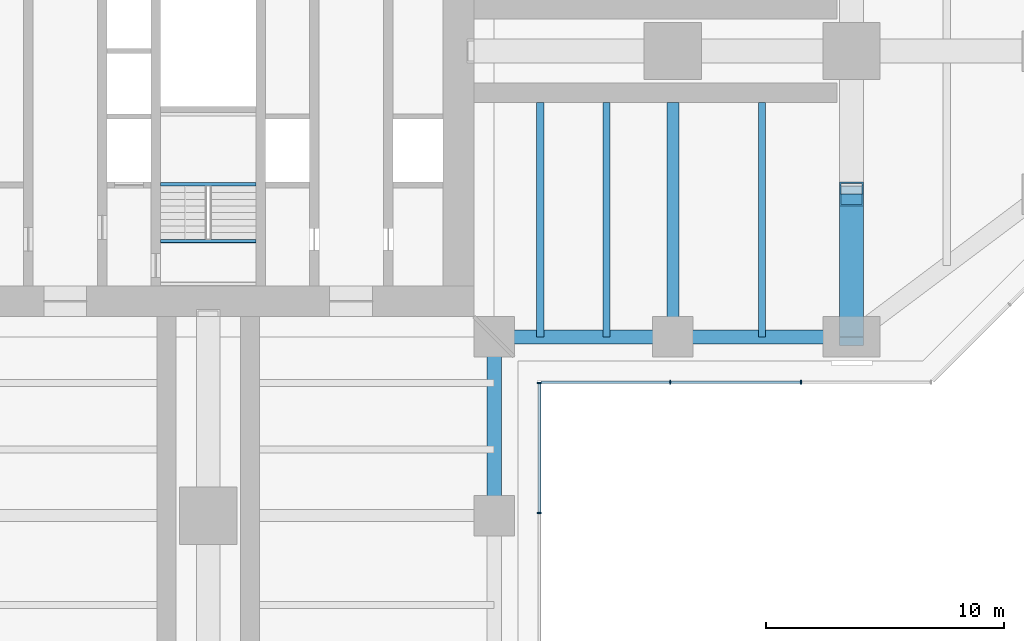
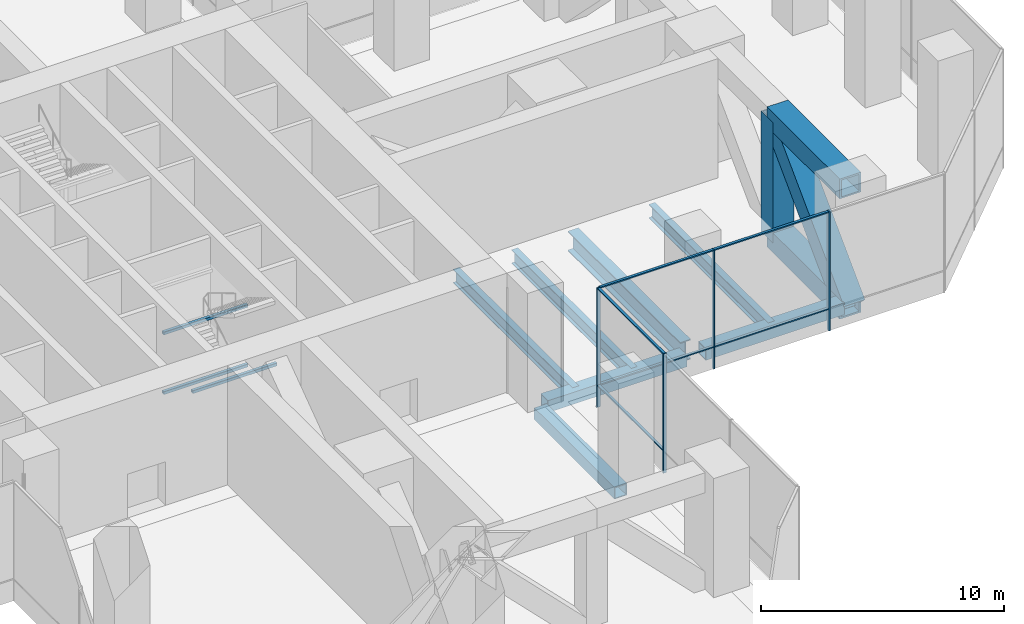
# One storey, part 6 of 20: 14 members, 10 beams, 2 elements without a shape of their own.
"""IFC4 building model written with IfcOpenShell, lengths in metres."""

import ifcopenshell
import ifcopenshell.guid

model = None  # the IFC model being written
_history = None  # IfcOwnerHistory: only IFC2X3 demands one
_inside = {}  # id of a spatial element -> (the spatial element, [elements in it])
_under = {}  # id of a project, library or spatial element -> (it, [spatial elements below it])
_declared = {}  # id of a project -> (the project, [libraries it declares])
_typed = {}  # id of a type object -> (the type object, [elements of that type])
_made_of = {}  # id of a material, layer set ... -> (it, [elements and type objects made of it])


def new_model(schema):
    """Start an empty IFC model of exactly this schema.

    Asked for "IFC4X3", IfcOpenShell would pick the latest addendum, in which some entities
    have other attributes; the version numbers below select the first issue.
    IFC2X3 requires an IfcOwnerHistory on every rooted entity: one is made here for all.
    """
    global model, _history
    if schema == "IFC4X3":
        model = ifcopenshell.file(schema_version=(4, 3, 0, 0))
    else:
        model = ifcopenshell.file(schema=schema)
    _inside.clear()
    _under.clear()
    _declared.clear()
    _typed.clear()
    _made_of.clear()
    _history = None
    if model.schema == "IFC2X3":
        org = make("IfcOrganization", Name="unknown")
        user = make(
            "IfcPersonAndOrganization",
            ThePerson=make("IfcPerson", FamilyName="unknown"),
            TheOrganization=org,
        )
        app = make(
            "IfcApplication",
            ApplicationDeveloper=org,
            Version="unknown",
            ApplicationFullName="unknown",
            ApplicationIdentifier="unknown",
        )
        _history = make(
            "IfcOwnerHistory",
            OwningUser=user,
            OwningApplication=app,
            ChangeAction="ADDED",
            CreationDate=0,
        )
    return model


def make(cls, **values):
    """One entity of the class cls with the attributes given. An attribute that is None is left unset."""
    return model.create_entity(
        cls, **{name: value for name, value in values.items() if value is not None}
    )


def rooted(cls, **values):
    """An entity with a GlobalId (a new one), such as an element, a storey or a relation."""
    return make(cls, GlobalId=ifcopenshell.guid.new(), OwnerHistory=_history, **values)


def si_unit(unit_type, name, prefix=None):
    """IfcSIUnit, for example si_unit("LENGTHUNIT", "METRE", prefix="MILLI")."""
    return make("IfcSIUnit", UnitType=unit_type, Prefix=prefix, Name=name)


def assignment(units):
    """IfcUnitAssignment: the units of a project."""
    return None if units is None else make("IfcUnitAssignment", Units=units)


def point(xyz):
    """IfcCartesianPoint."""
    return None if xyz is None else make("IfcCartesianPoint", Coordinates=xyz)


def direction(xyz):
    """IfcDirection."""
    return None if xyz is None else make("IfcDirection", DirectionRatios=xyz)


def frame(location, z_axis=None, x_axis=None):
    """IfcAxis2Placement3D, a coordinate frame: its origin and axes. An axis left out is left unset."""
    return make(
        "IfcAxis2Placement3D",
        Location=point(location),
        Axis=direction(z_axis),
        RefDirection=direction(x_axis),
    )


def frame_2d(location, x_axis=None):
    """IfcAxis2Placement2D, a coordinate frame in the plane: its origin and x axis."""
    return make(
        "IfcAxis2Placement2D", Location=point(location), RefDirection=direction(x_axis)
    )


def origin():
    """The frame at (0, 0, 0) with its axes left unset."""
    return frame((0.0, 0.0, 0.0))


def origin_2d():
    """The frame at (0, 0) in the plane with its x axis left unset."""
    return frame_2d((0.0, 0.0))


def place(relative_to, where):
    """IfcLocalPlacement: puts the frame where relative to a parent placement (None: the world)."""
    return make(
        "IfcLocalPlacement", PlacementRelTo=relative_to, RelativePlacement=where
    )


def context(
    kind, dimensions, precision=None, world=None, true_north=None, identifier=None
):
    """IfcGeometricRepresentationContext, for example the 3D "Model" context."""
    return make(
        "IfcGeometricRepresentationContext",
        ContextIdentifier=identifier,
        ContextType=kind,
        CoordinateSpaceDimension=dimensions,
        Precision=precision,
        WorldCoordinateSystem=world,
        TrueNorth=true_north,
    )


def subcontext(parent, identifier, kind, view, scale=None):
    """IfcGeometricRepresentationSubContext, for example "Body" below "Model"."""
    return make(
        "IfcGeometricRepresentationSubContext",
        ContextIdentifier=identifier,
        ContextType=kind,
        ParentContext=parent,
        TargetScale=scale,
        TargetView=view,
    )


def project(units=None, contexts=None):
    """IfcProject with its units and contexts."""
    return rooted(
        "IfcProject",
        Name="project",
        RepresentationContexts=contexts,
        UnitsInContext=assignment(units),
    )


def spatial(cls, under=None, at=None, **own):
    """A site, building, storey or space (cls), placed at a placement, below another one or the project."""
    s = rooted(cls, ObjectPlacement=at, **own)
    if under is not None:
        _under.setdefault(under.id(), (under, []))[1].append(s)
    return s


def profile(cls, at=None, kind="AREA", **sizes):
    """A parametric profile (cls). Its sizes go by their IFC names, for example OverallWidth=200.0."""
    return make(cls, ProfileType=kind, Position=at, **sizes)


def rectangle(**sizes):
    """IfcRectangleProfileDef."""
    return profile("IfcRectangleProfileDef", **sizes)


def hollow_rectangle(**sizes):
    """IfcRectangleHollowProfileDef."""
    return profile("IfcRectangleHollowProfileDef", **sizes)


def i_section(**sizes):
    """IfcIShapeProfileDef."""
    return profile("IfcIShapeProfileDef", **sizes)


def extrude(swept, where, along, depth):
    """IfcExtrudedAreaSolid: the profile swept, set in the frame where, extruded along a direction by depth."""
    return make(
        "IfcExtrudedAreaSolid",
        SweptArea=swept,
        Position=where,
        ExtrudedDirection=direction(along),
        Depth=depth,
    )


def shape(context_of_items, identifier, shape_type, items):
    """IfcShapeRepresentation: the items that make up one representation, for example the "Body"."""
    return make(
        "IfcShapeRepresentation",
        ContextOfItems=context_of_items,
        RepresentationIdentifier=identifier,
        RepresentationType=shape_type,
        Items=items,
    )


def material(Name=None, Category=None):
    """IfcMaterial."""
    return make("IfcMaterial", Name=Name, Category=Category)


def material_profile(
    of_material, cross_section, Name=None, Category=None, Priority=None
):
    """IfcMaterialProfile: a cross section and its material."""
    return make(
        "IfcMaterialProfile",
        Name=Name,
        Material=of_material,
        Profile=cross_section,
        Priority=Priority,
        Category=Category,
    )


def profile_set(profiles, Name=None, composite=None):
    """IfcMaterialProfileSet."""
    return make(
        "IfcMaterialProfileSet",
        Name=Name,
        MaterialProfiles=profiles,
        CompositeProfile=composite,
    )


def made_of(thing, what):
    """Note that an element or type object is made of a material, layer set ...; save() writes the relation."""
    if what is not None:
        _made_of.setdefault(what.id(), (what, []))[1].append(thing)
    return thing


def type_object(cls, material=None, **own):
    """A type object (cls), such as IfcWallType, which elements share."""
    return made_of(rooted(cls, **own), material)


def element(
    cls,
    number,
    at=None,
    inside=None,
    cuts=None,
    type_object=None,
    material=None,
    context=None,
    identifier="Body",
    shape_type=None,
    held_by="IfcProductDefinitionShape",
    body=None,
    shapes=None,
    **own,
):
    """One element of the class cls, such as IfcWall. Its Tag is "e" and its number.

    at: its placement. inside: the storey or other place that contains it. cuts: it is an
    opening in that element (IfcRelVoidsElement). A single representation is given by context,
    identifier, shape_type and body (its items); several are given by shapes. held_by: the class
    of the entity that holds the representations. save() writes the other relations.
    """
    e = rooted(cls, Tag="e%d" % number, ObjectPlacement=at, **own)
    if body is not None:
        shapes = [shape(context, identifier, shape_type, body)]
    if shapes is not None:
        e.Representation = make(held_by, Representations=shapes)
    if inside is not None:
        _inside.setdefault(inside.id(), (inside, []))[1].append(e)
    if cuts is not None:
        rooted(
            "IfcRelVoidsElement", RelatingBuildingElement=cuts, RelatedOpeningElement=e
        )
    if type_object is not None:
        _typed.setdefault(type_object.id(), (type_object, []))[1].append(e)
    return made_of(e, material)


def aggregate(whole, parts):
    """IfcRelAggregates: a whole, such as a stair, and the parts it consists of."""
    return rooted("IfcRelAggregates", RelatingObject=whole, RelatedObjects=parts)


def save(model, path):
    """Write the relations noted so far, then the file.

    IfcRelAggregates (storeys below a building ...), IfcRelContainedInSpatialStructure (elements
    in a storey), IfcRelDefinesByType, IfcRelAssociatesMaterial and IfcRelDeclares: one each for
    every whole, place, type object, material and project.
    """
    for whole, parts in _under.values():
        aggregate(whole, parts)
    for where, things in _inside.values():
        rooted(
            "IfcRelContainedInSpatialStructure",
            RelatedElements=things,
            RelatingStructure=where,
        )
    for kind, things in _typed.values():
        rooted("IfcRelDefinesByType", RelatedObjects=things, RelatingType=kind)
    for what, things in _made_of.values():
        rooted("IfcRelAssociatesMaterial", RelatedObjects=things, RelatingMaterial=what)
    for by, libraries in _declared.values():
        rooted("IfcRelDeclares", RelatingContext=by, RelatedDefinitions=libraries)
    model.write(path)


model = new_model("IFC4")

# Units and contexts
model_context = context("Model", 3, precision=1e-05, world=origin(), true_north=direction((0.0, 1.0)))
body_context = subcontext(model_context, "Body", "Model", "MODEL_VIEW")
ifc_project = project(units=[si_unit("LENGTHUNIT", "METRE"), si_unit("AREAUNIT", "SQUARE_METRE"), si_unit("VOLUMEUNIT", "CUBIC_METRE"), si_unit("PLANEANGLEUNIT", "RADIAN"), si_unit("MASSUNIT", "GRAM", prefix="KILO")], contexts=[model_context])

# Site, building, storey
site_placement = place(None, origin())
site = spatial("IfcSite", under=ifc_project, at=site_placement, CompositionType="ELEMENT")
building_placement = place(site_placement, origin())
building = spatial("IfcBuilding", under=site, at=building_placement, Name="Mizan Broadcast Tower", CompositionType="ELEMENT")
storey_placement = place(building_placement, frame((0.0, 0.0, 118.199951171875)))
storey = spatial("IfcBuildingStorey", under=building, at=storey_placement, Name="L26", CompositionType="ELEMENT", Elevation=118.199951171875)

# Members
ifc_material_1 = material(Name="Steel S460", Category="steel")
ifc_material_profile_1 = material_profile(ifc_material_1, hollow_rectangle(XDim=1.0, YDim=1.0, WallThickness=0.080078125, at=origin_2d()), Name="BOX 1000x1000x80")
ifc_profile_set_1 = profile_set([ifc_material_profile_1], Name="Steel S460")
member_type_1 = type_object("IfcMemberType", Name="BELT TRUSS BT2 CHORD BOX 1000x1000x80", PredefinedType="CHORD", material=ifc_profile_set_1)
for number, where, z_axis, x_axis, name in (
    (1, (27.0, -12.0, -0.679931640625), (0.0, 1.0, 0.0), (-1.0, 0.0, 0.0), "Belt truss BT2-E27 bottom chord 1"),
    (2, (27.0, -12.0, 5.3701171875), (0.0, 1.0, 0.0), (-1.0, 0.0, 0.0), "Belt truss BT2-E27 top chord 1"),
):
    element("IfcMember", number, at=place(storey_placement, frame(where, z_axis=z_axis, x_axis=x_axis)), inside=storey, type_object=member_type_1, Name=name, PredefinedType="CHORD", context=body_context, shape_type="SweptSolid", body=[
        extrude(hollow_rectangle(XDim=1.0, YDim=1.0, WallThickness=0.080078125, at=origin_2d()), origin(), (0.0, 0.0, 1.0), 6.0),
    ])
ifc_material_2 = material(Name="Steel S460", Category="steel")
ifc_material_profile_2 = material_profile(ifc_material_2, hollow_rectangle(XDim=1.0, YDim=1.0, WallThickness=0.06005859375, at=origin_2d()), Name="BOX 1000x1000x60")
ifc_profile_set_2 = profile_set([ifc_material_profile_2], Name="Steel S460")
member_type_2 = type_object("IfcMemberType", Name="BELT TRUSS BT2 DIAGONAL BOX 1000x1000x60", PredefinedType="BRACE", material=ifc_profile_set_2)
member_1_placement = place(storey_placement, frame((27.0, -12.0, -0.679931640625), z_axis=(0.0, 0.704163801085, 0.710037563261), x_axis=(-1.0, 0.0, 0.0)))
element("IfcMember", 3, at=member_1_placement, inside=storey, type_object=member_type_2, Name="Belt truss BT2-E27 diagonal 1", PredefinedType="BRACE", context=body_context, shape_type="SweptSolid", body=[
    extrude(hollow_rectangle(XDim=1.0, YDim=1.0, WallThickness=0.06005859375, at=origin_2d()), origin(), (0.0, 0.0, 1.0), 8.520751953125),
])
ifc_material_3 = material(Name="Steel S460", Category="steel")
ifc_material_profile_3 = material_profile(ifc_material_3, hollow_rectangle(XDim=1.0, YDim=1.0, WallThickness=0.06005859375, at=origin_2d()), Name="BOX 1000x1000x60")
ifc_profile_set_3 = profile_set([ifc_material_profile_3], Name="Steel S460")
member_type_3 = type_object("IfcMemberType", Name="BELT TRUSS BT2 POST BOX 1000x1000x60", PredefinedType="POST", material=ifc_profile_set_3)
member_2_placement = place(storey_placement, frame((27.0, -6.0, -0.679931640625), z_axis=(0.0, 0.0, 1.0), x_axis=(1.0, 0.0, 0.0)))
element("IfcMember", 4, at=member_2_placement, inside=storey, type_object=member_type_3, Name="Belt truss BT2-E27 post 1", PredefinedType="POST", context=body_context, shape_type="SweptSolid", body=[
    extrude(hollow_rectangle(XDim=1.0, YDim=1.0, WallThickness=0.06005859375, at=origin_2d()), origin(), (0.0, 0.0, 1.0), 6.050048828125),
])

# Beams
ifc_material_4 = material(Name="Steel S355", Category="steel")
ifc_material_profile_4 = material_profile(ifc_material_4, hollow_rectangle(XDim=0.60009765625, YDim=0.60009765625, WallThickness=0.0400390625, at=origin_2d()), Name="BOX 600x600x40")
ifc_profile_set_4 = profile_set([ifc_material_profile_4], Name="Steel S355")
beam_type_1 = type_object("IfcBeamType", Name="EDGE BEAM BOX 600x600x40", PredefinedType="SPANDREL", material=ifc_profile_set_4)
for number, where, z_axis, x_axis, name in (
    (5, (12.449951171875, -12.0, -0.47998046875), (1.0, 0.0, 0.0), (0.0, 1.0, 0.0), "Edge beam BOX 600x600x40 L26 east arm"),
    (6, (19.949951171875, -12.0, -0.47998046875), (1.0, 0.0, 0.0), (0.0, 1.0, 0.0), "Edge beam BOX 600x600x40 L26 east arm"),
    (7, (12.0, -12.449951171875, -0.47998046875), (0.0, -1.0, 0.0), (1.0, 0.0, 0.0), "Edge beam BOX 600x600x40 L26 south arm"),
):
    element("IfcBeam", number, at=place(storey_placement, frame(where, z_axis=z_axis, x_axis=x_axis)), inside=storey, type_object=beam_type_1, Name=name, PredefinedType="SPANDREL", context=body_context, shape_type="SweptSolid", body=[
        extrude(hollow_rectangle(XDim=0.60009765625, YDim=0.60009765625, WallThickness=0.0400390625, at=origin_2d()), origin(), (0.0, 0.0, 1.0), 6.60009765625),
    ])
ifc_material_5 = material(Name="Steel S460", Category="steel")
ifc_material_profile_5 = material_profile(ifc_material_5, i_section(OverallWidth=0.5, OverallDepth=1.0, WebThickness=0.02490234375, FlangeThickness=0.050048828125, at=origin_2d()), Name="WPG 1000x500")
ifc_profile_set_5 = profile_set([ifc_material_profile_5], Name="Steel S460")
beam_type_2 = type_object("IfcBeamType", Name="GIRDER WPG 1000x500", PredefinedType="BEAM", material=ifc_profile_set_5)
beam_placement = place(storey_placement, frame((19.5, -11.408935546875, -0.679931640625), z_axis=(0.0, 1.0, 0.0), x_axis=(-1.0, 0.0, 0.0)))
element("IfcBeam", 8, at=beam_placement, inside=storey, type_object=beam_type_2, Name="Girder WPG 1000x500 L26 east arm", PredefinedType="BEAM", context=body_context, shape_type="SweptSolid", body=[
    extrude(i_section(OverallWidth=0.5, OverallDepth=1.0, WebThickness=0.02490234375, FlangeThickness=0.050048828125, at=origin_2d()), origin(), (0.0, 0.0, 1.0), 9.259033203125),
])

# Curtain wall, members
ifc_material_6 = material(Name="Aluminium framed glazing", Category="aluminium")
curtain_wall_type = type_object("IfcCurtainWallType", Name="PLANT LOUVRE", PredefinedType="USERDEFINED", material=ifc_material_6)
curtain_wall_1_placement = place(storey_placement, origin())
curtain_wall_1 = element("IfcCurtainWall", 9, at=curtain_wall_1_placement, inside=storey, type_object=curtain_wall_type, Name="Plant louvre L26 E side", ObjectType="PLANT LOUVRE", PredefinedType="USERDEFINED")
ifc_material_7 = material(Name="Aluminium, pale anodised", Category="aluminium")
ifc_material_profile_6 = material_profile(ifc_material_7, rectangle(XDim=0.159912109375, YDim=0.06005859375, at=origin_2d()), Name="MULLION 160x60")
ifc_profile_set_6 = profile_set([ifc_material_profile_6], Name="Aluminium, pale anodised")
member_type_4 = type_object("IfcMemberType", Name="INNER SKIN MULLION 60x160", PredefinedType="MULLION", material=ifc_profile_set_6)
member_3_placement = place(storey_placement, frame((19.390869140625, -13.89990234375, 0.0), z_axis=(0.0, 0.0, 1.0), x_axis=(0.0, 1.0, 0.0)))
member_3 = element("IfcMember", 10, at=member_3_placement, type_object=member_type_4, Name="Plant louvre L26 E side mullion 2", PredefinedType="MULLION", context=body_context, shape_type="SweptSolid", body=[
    extrude(rectangle(XDim=0.159912109375, YDim=0.06005859375, at=origin_2d()), origin(), (0.0, 0.0, 1.0), 6.0),
])
member_4_placement = place(storey_placement, frame((24.8818359375, -13.89990234375, 0.0), z_axis=(0.0, 0.0, 1.0), x_axis=(0.0, 1.0, 0.0)))
member_4 = element("IfcMember", 11, at=member_4_placement, type_object=member_type_4, Name="Plant louvre L26 E side mullion 3", PredefinedType="MULLION", context=body_context, shape_type="SweptSolid", body=[
    extrude(rectangle(XDim=0.159912109375, YDim=0.06005859375, at=origin_2d()), origin(), (0.0, 0.0, 1.0), 6.0),
])

curtain_wall_2_placement = place(storey_placement, origin())
curtain_wall_2 = element("IfcCurtainWall", 12, at=curtain_wall_2_placement, inside=storey, type_object=curtain_wall_type, Name="Plant louvre L26 S side", ObjectType="PLANT LOUVRE", PredefinedType="USERDEFINED")
member_5_placement = place(storey_placement, frame((13.89990234375, -19.390869140625, 0.0), z_axis=(0.0, 0.0, 1.0), x_axis=(-1.0, 0.0, 0.0)))
member_5 = element("IfcMember", 13, at=member_5_placement, type_object=member_type_4, Name="Plant louvre L26 S side mullion 3", PredefinedType="MULLION", context=body_context, shape_type="SweptSolid", body=[
    extrude(rectangle(XDim=0.159912109375, YDim=0.06005859375, at=origin_2d()), origin(), (0.0, 0.0, 1.0), 6.0),
])
member_6_placement = place(storey_placement, frame((13.89990234375, -13.929931640625, 0.0), z_axis=(0.0, 0.0, 1.0), x_axis=(-1.0, 0.0, 0.0)))
member_6 = element("IfcMember", 14, at=member_6_placement, type_object=member_type_4, Name="Plant louvre L26 S side mullion 4", PredefinedType="MULLION", context=body_context, shape_type="SweptSolid", body=[
    extrude(rectangle(XDim=0.159912109375, YDim=0.06005859375, at=origin_2d()), origin(), (0.0, 0.0, 1.0), 6.0),
])

# Member
ifc_material_8 = material(Name="Aluminium, pale anodised", Category="aluminium")
ifc_material_profile_7 = material_profile(ifc_material_8, rectangle(XDim=0.1201171875, YDim=0.06005859375, at=origin_2d()), Name="TRANSOM 120x60")
ifc_profile_set_7 = profile_set([ifc_material_profile_7], Name="Aluminium, pale anodised")
member_type_5 = type_object("IfcMemberType", Name="INNER SKIN TRANSOM 60x120", PredefinedType="USERDEFINED", material=ifc_profile_set_7)
member_7_placement = place(storey_placement, frame((13.9599609375, -13.89990234375, 1.10009765625), z_axis=(1.0, 0.0, 0.0), x_axis=(0.0, 1.0, 0.0)))
member_7 = element("IfcMember", 15, at=member_7_placement, type_object=member_type_5, Name="Plant louvre L26 E side transom 1.1", ObjectType="TRANSOM", PredefinedType="USERDEFINED", context=body_context, shape_type="SweptSolid", body=[
    extrude(rectangle(XDim=0.1201171875, YDim=0.06005859375, at=origin_2d()), origin(), (0.0, 0.0, 1.0), 5.40087890625),
])

member_8_placement = place(storey_placement, frame((13.9599609375, -13.89990234375, 5.969970703125), z_axis=(1.0, 0.0, 0.0), x_axis=(0.0, 1.0, 0.0)))
member_8 = element("IfcMember", 16, at=member_8_placement, type_object=member_type_5, Name="Plant louvre L26 E side transom 1.2", ObjectType="TRANSOM", PredefinedType="USERDEFINED", context=body_context, shape_type="SweptSolid", body=[
    extrude(rectangle(XDim=0.1201171875, YDim=0.06005859375, at=origin_2d()), origin(), (0.0, 0.0, 1.0), 5.40087890625),
])

member_9_placement = place(storey_placement, frame((19.4208984375, -13.89990234375, 1.10009765625), z_axis=(1.0, 0.0, 0.0), x_axis=(0.0, 1.0, 0.0)))
member_9 = element("IfcMember", 17, at=member_9_placement, type_object=member_type_5, Name="Plant louvre L26 E side transom 2.1", ObjectType="TRANSOM", PredefinedType="USERDEFINED", context=body_context, shape_type="SweptSolid", body=[
    extrude(rectangle(XDim=0.1201171875, YDim=0.06005859375, at=origin_2d()), origin(), (0.0, 0.0, 1.0), 5.430908203125),
])

member_10_placement = place(storey_placement, frame((19.4208984375, -13.89990234375, 5.969970703125), z_axis=(1.0, 0.0, 0.0), x_axis=(0.0, 1.0, 0.0)))
member_10 = element("IfcMember", 18, at=member_10_placement, type_object=member_type_5, Name="Plant louvre L26 E side transom 2.2", ObjectType="TRANSOM", PredefinedType="USERDEFINED", context=body_context, shape_type="SweptSolid", body=[
    extrude(rectangle(XDim=0.1201171875, YDim=0.06005859375, at=origin_2d()), origin(), (0.0, 0.0, 1.0), 5.430908203125),
])

aggregate(curtain_wall_1, [member_3, member_4, member_7, member_8, member_9, member_10])

member_11_placement = place(storey_placement, frame((13.89990234375, -19.36083984375, 1.10009765625), z_axis=(0.0, 1.0, 0.0), x_axis=(-1.0, 0.0, 0.0)))
member_11 = element("IfcMember", 19, at=member_11_placement, type_object=member_type_5, Name="Plant louvre L26 S side transom 3.1", ObjectType="TRANSOM", PredefinedType="USERDEFINED", context=body_context, shape_type="SweptSolid", body=[
    extrude(rectangle(XDim=0.1201171875, YDim=0.06005859375, at=origin_2d()), origin(), (0.0, 0.0, 1.0), 5.40087890625),
])

member_12_placement = place(storey_placement, frame((13.89990234375, -19.36083984375, 5.969970703125), z_axis=(0.0, 1.0, 0.0), x_axis=(-1.0, 0.0, 0.0)))
member_12 = element("IfcMember", 20, at=member_12_placement, type_object=member_type_5, Name="Plant louvre L26 S side transom 3.2", ObjectType="TRANSOM", PredefinedType="USERDEFINED", context=body_context, shape_type="SweptSolid", body=[
    extrude(rectangle(XDim=0.1201171875, YDim=0.06005859375, at=origin_2d()), origin(), (0.0, 0.0, 1.0), 5.40087890625),
])

aggregate(curtain_wall_2, [member_5, member_6, member_11, member_12])

# Beams
ifc_material_9 = material(Name="Steel S355", Category="steel")
ifc_material_profile_8 = material_profile(ifc_material_9, hollow_rectangle(XDim=0.14990234375, YDim=0.14990234375, WallThickness=0.008056640625, InnerFilletRadius=0.008056640625, OuterFilletRadius=0.011962890625, at=origin_2d()), Name="SHS 150x150x8")
ifc_profile_set_8 = profile_set([ifc_material_profile_8], Name="Steel S355")
beam_type_3 = type_object("IfcBeamType", Name="LANDING TRIMMER SHS 150x150x8", PredefinedType="BEAM", material=ifc_profile_set_8)
for number, where, z_axis, x_axis, name in (
    (21, (-2.0, -5.5849609375, 1.22509765625), (1.0, 0.0, 0.0), (0.0, 1.0, 0.0), "Stair A landing trimmer L26"),
    (22, (-2.0, -7.97509765625, 2.72509765625), (1.0, 0.0, 0.0), (0.0, 1.0, 0.0), "Stair A landing trimmer L26"),
    (23, (-2.0, -5.5849609375, 4.22509765625), (1.0, 0.0, 0.0), (0.0, 1.0, 0.0), "Stair A landing trimmer L26"),
):
    element("IfcBeam", number, at=place(storey_placement, frame(where, z_axis=z_axis, x_axis=x_axis)), inside=storey, type_object=beam_type_3, Name=name, PredefinedType="BEAM", context=body_context, shape_type="SweptSolid", body=[
        extrude(hollow_rectangle(XDim=0.14990234375, YDim=0.14990234375, WallThickness=0.008056640625, InnerFilletRadius=0.008056640625, OuterFilletRadius=0.011962890625, at=origin_2d()), origin(), (0.0, 0.0, 1.0), 4.0),
    ])
ifc_material_10 = material(Name="Steel S355", Category="steel")
ifc_material_profile_9 = material_profile(ifc_material_10, i_section(OverallWidth=0.300048828125, OverallDepth=0.68994140625, WebThickness=0.014404296875, FlangeThickness=0.027099609375, FilletRadius=0.027099609375, at=origin_2d()), Name="HEA 700")
ifc_profile_set_9 = profile_set([ifc_material_profile_9], Name="Steel S355")
beam_type_4 = type_object("IfcBeamType", Name="SECONDARY BEAM HEA 700", PredefinedType="JOIST", material=ifc_profile_set_9)
for number, where, z_axis, x_axis, name in (
    (24, (13.933349609375, -12.0, -0.52490234375), (0.0, 1.0, 0.0), (-1.0, 0.0, 0.0), "Secondary beam HEA 700 L26 east arm"),
    (25, (16.716552734375, -12.0, -0.52490234375), (0.0, 1.0, 0.0), (-1.0, 0.0, 0.0), "Secondary beam HEA 700 L26 east arm"),
    (26, (23.25, -12.0, -0.52490234375), (0.0, 1.0, 0.0), (-1.0, 0.0, 0.0), "Secondary beam HEA 700 L26 east arm"),
):
    element("IfcBeam", number, at=place(storey_placement, frame(where, z_axis=z_axis, x_axis=x_axis)), inside=storey, type_object=beam_type_4, Name=name, PredefinedType="JOIST", context=body_context, shape_type="SweptSolid", body=[
        extrude(i_section(OverallWidth=0.300048828125, OverallDepth=0.68994140625, WebThickness=0.014404296875, FlangeThickness=0.027099609375, FilletRadius=0.027099609375, at=origin_2d()), origin(), (0.0, 0.0, 1.0), 9.85009765625),
    ])

save(model, "model.ifc")
